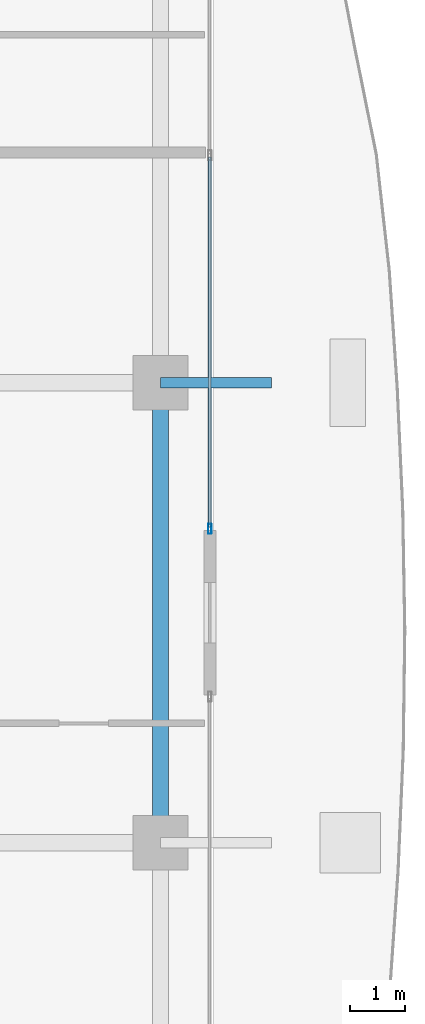
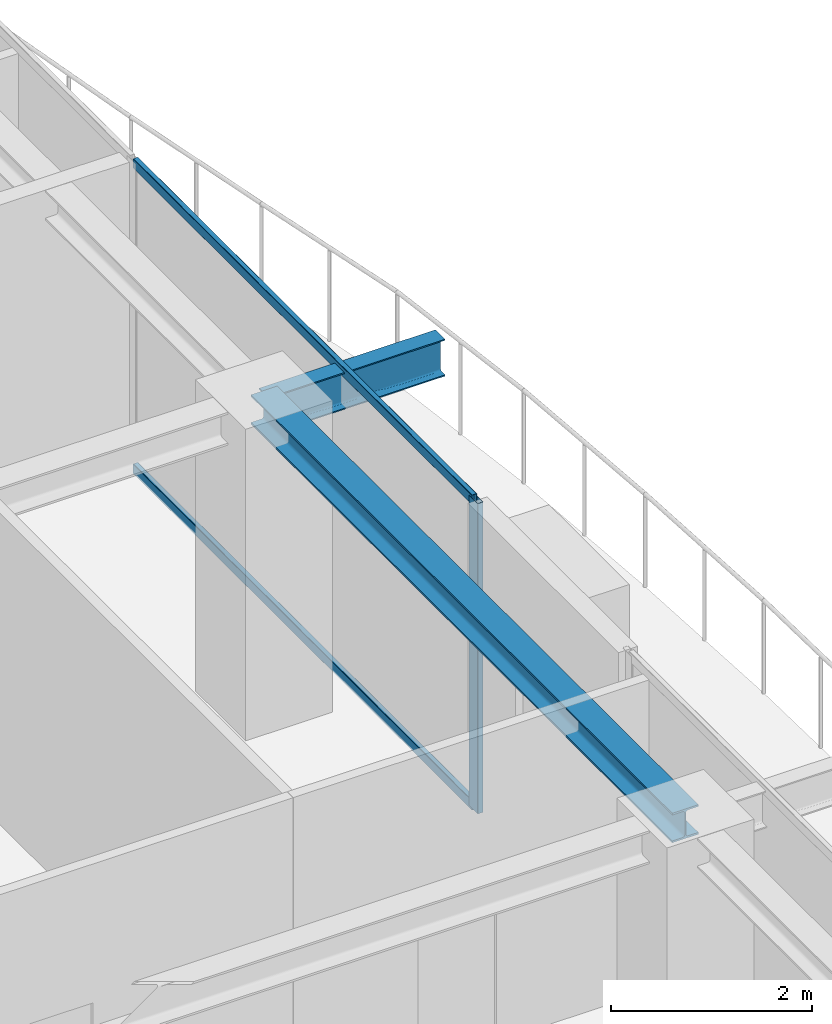
# One storey, part 17 of 41: 3 members, 2 beams, 1 element without a shape of its own.
"""IFC4 building model written with IfcOpenShell, lengths in metres."""

from ifc_helpers import new_model, si_unit, direction, frame, origin, origin_2d, place, context, subcontext, project, spatial, hollow_rectangle, i_section, extrude, source, transform, mapped, material, layer, layer_set, material_profile, profile_set, type_object, element, aggregate, save


model = new_model("IFC4")

# Units and contexts
model_context = context("Model", 3, precision=1e-05, world=origin(), true_north=direction((0.0, 1.0)))
body_context = subcontext(model_context, "Body", "Model", "MODEL_VIEW")
ifc_project = project(units=[si_unit("LENGTHUNIT", "METRE"), si_unit("AREAUNIT", "SQUARE_METRE"), si_unit("VOLUMEUNIT", "CUBIC_METRE"), si_unit("PLANEANGLEUNIT", "RADIAN"), si_unit("MASSUNIT", "GRAM", prefix="KILO")], contexts=[model_context])

# Site, building, storey
site_placement = place(None, origin())
site = spatial("IfcSite", under=ifc_project, at=site_placement, CompositionType="ELEMENT")
building_placement = place(site_placement, origin())
building = spatial("IfcBuilding", under=site, at=building_placement, Name="Serunith Strait Residences", CompositionType="ELEMENT")
storey_placement = place(building_placement, frame((0.0, 0.0, 301.550048828125)))
storey = spatial("IfcBuildingStorey", under=building, at=storey_placement, Name="L75", CompositionType="ELEMENT", Elevation=301.550048828125)

# Beams
ifc_material_1 = material(Name="Steel S355J2", Category="steel")
ifc_material_profile_1 = material_profile(ifc_material_1, i_section(OverallWidth=0.300048828125, OverallDepth=0.360107421875, WebThickness=0.012451171875, FlangeThickness=0.0224609375, FilletRadius=0.027099609375, at=origin_2d()), Name="HEB 360")
ifc_profile_set_1 = profile_set([ifc_material_profile_1], Name="Steel S355J2")
beam_type_1 = type_object("IfcBeamType", Name="BM-HEB360", PredefinedType="BEAM", material=ifc_profile_set_1)
shared_shape_1 = source(origin(), body_context, "Body", "SweptSolid", [
    extrude(i_section(OverallWidth=0.300048828125, OverallDepth=0.360107421875, WebThickness=0.012451171875, FlangeThickness=0.0224609375, FilletRadius=0.027099609375, at=origin_2d()), origin(), (0.0, 0.0, 1.0), 8.39990234375),
])
beam_1_placement = place(storey_placement, frame((54.699951171875, 21.0, 3.60693359375), z_axis=(0.0, 1.0, 0.0), x_axis=(-1.0, 0.0, 0.0)))
element("IfcBeam", 1, at=beam_1_placement, inside=storey, type_object=beam_type_1, Name="L75 Perimeter Ring Beam 06", PredefinedType="BEAM", context=body_context, shape_type="MappedRepresentation", body=[
    mapped(shared_shape_1, transform((0.0, 0.0, 0.0), scale=1.0)),
])
ifc_material_profile_2 = material_profile(ifc_material_1, i_section(OverallWidth=0.18994140625, OverallDepth=0.449951171875, WebThickness=0.009521484375, FlangeThickness=0.0146484375, FilletRadius=0.02099609375, at=origin_2d()), Name="IPE 450")
ifc_profile_set_2 = profile_set([ifc_material_profile_2], Name="Steel S355J2")
beam_type_2 = type_object("IfcBeamType", Name="BM-IPE450", PredefinedType="JOIST", material=ifc_profile_set_2)
shared_shape_2 = source(origin(), body_context, "Body", "SweptSolid", [
    extrude(i_section(OverallWidth=0.18994140625, OverallDepth=0.449951171875, WebThickness=0.009521484375, FlangeThickness=0.0146484375, FilletRadius=0.02099609375, at=origin_2d()), origin(), (0.0, 0.0, 1.0), 2.030029296875),
])
beam_2_placement = place(storey_placement, frame((54.699951171875, 29.39990234375, 3.531982421875), z_axis=(1.0, 0.0, 0.0), x_axis=(0.0, 1.0, 0.0)))
element("IfcBeam", 2, at=beam_2_placement, inside=storey, type_object=beam_type_2, Name="L76 Cantilevered Balcony Rib TC-E3", PredefinedType="JOIST", context=body_context, shape_type="MappedRepresentation", body=[
    mapped(shared_shape_2, transform((0.0, 0.0, 0.0), scale=1.0)),
])

# Curtain wall, members
ifc_material_2 = material(Name="Brushed Stainless-Silver Aluminium", Category="aluminium")
ifc_layer = layer(ifc_material_2, 0.199951171875, Name="Brushed Stainless-Silver Aluminium")
ifc_layer_set = layer_set([ifc_layer], Name="Brushed Stainless-Silver Aluminium")
curtain_wall_type = type_object("IfcCurtainWallType", Name="CW-SYS5", PredefinedType="NOTDEFINED", material=ifc_layer_set)
curtain_wall_placement = place(storey_placement, origin())
curtain_wall = element("IfcCurtainWall", 3, at=curtain_wall_placement, inside=storey, type_object=curtain_wall_type, Name="L75 E Unitised Fritted Curtain Wall", PredefinedType="NOTDEFINED")
ifc_material_profile_3 = material_profile(ifc_material_2, hollow_rectangle(XDim=0.06005859375, YDim=0.1201171875, WallThickness=0.00341796875, InnerFilletRadius=0.00537109375, OuterFilletRadius=0.0087890625, at=origin_2d()), Name="ALU 120x60x3.5")
ifc_profile_set_3 = profile_set([ifc_material_profile_3], Name="Brushed Stainless-Silver Aluminium")
member_type_1 = type_object("IfcMemberType", Name="CW-SYS5-TRAN", PredefinedType="USERDEFINED", material=ifc_profile_set_3)
shared_shape_3 = source(origin(), body_context, "Body", "SweptSolid", [
    extrude(hollow_rectangle(XDim=0.06005859375, YDim=0.1201171875, WallThickness=0.00341796875, InnerFilletRadius=0.00537109375, OuterFilletRadius=0.0087890625, at=origin_2d()), origin(), (0.0, 0.0, 1.0), 6.752685546875),
])
member_1_placement = place(storey_placement, frame((55.60009765625, 26.764892578125, 0.030029296875), z_axis=(0.0, 1.0, 0.0), x_axis=(-1.0, 0.0, 0.0)))
member_1 = element("IfcMember", 4, at=member_1_placement, type_object=member_type_1, Name="CW-5 transom 1.1", ObjectType="TRANSOM", PredefinedType="USERDEFINED", context=body_context, shape_type="MappedRepresentation", body=[
    mapped(shared_shape_3, transform((0.0, 0.0, 0.0), scale=1.0)),
])
member_2_placement = place(storey_placement, frame((55.60009765625, 26.764892578125, 3.744873046875), z_axis=(0.0, 1.0, 0.0), x_axis=(-1.0, 0.0, 0.0)))
member_2 = element("IfcMember", 5, at=member_2_placement, type_object=member_type_1, Name="CW-5 transom 1.2", ObjectType="TRANSOM", PredefinedType="USERDEFINED", context=body_context, shape_type="MappedRepresentation", body=[
    mapped(shared_shape_3, transform((0.0, 0.0, 0.0), scale=1.0)),
])
ifc_material_profile_4 = material_profile(ifc_material_2, hollow_rectangle(XDim=0.06494140625, YDim=0.179931640625, WallThickness=0.00341796875, InnerFilletRadius=0.00537109375, OuterFilletRadius=0.0087890625, at=origin_2d()), Name="ALU 180x65x3.5")
ifc_profile_set_4 = profile_set([ifc_material_profile_4], Name="Brushed Stainless-Silver Aluminium")
member_type_2 = type_object("IfcMemberType", Name="CW-SYS5-MULL", PredefinedType="MULLION", material=ifc_profile_set_4)
shared_shape_4 = source(origin(), body_context, "Body", "SweptSolid", [
    extrude(hollow_rectangle(XDim=0.06494140625, YDim=0.179931640625, WallThickness=0.00341796875, InnerFilletRadius=0.00537109375, OuterFilletRadius=0.0087890625, at=origin_2d()), origin(), (0.0, 0.0, 1.0), 3.77490234375),
])
member_3_placement = place(storey_placement, frame((55.60009765625, 26.732421875, 0.0), z_axis=(0.0, 0.0, 1.0), x_axis=(-1.0, 0.0, 0.0)))
member_3 = element("IfcMember", 6, at=member_3_placement, type_object=member_type_2, Name="CW-5 mullion 1", PredefinedType="MULLION", context=body_context, shape_type="MappedRepresentation", body=[
    mapped(shared_shape_4, transform((0.0, 0.0, 0.0), scale=1.0)),
])
aggregate(curtain_wall, [member_3, member_1, member_2])

save(model, "model.ifc")
